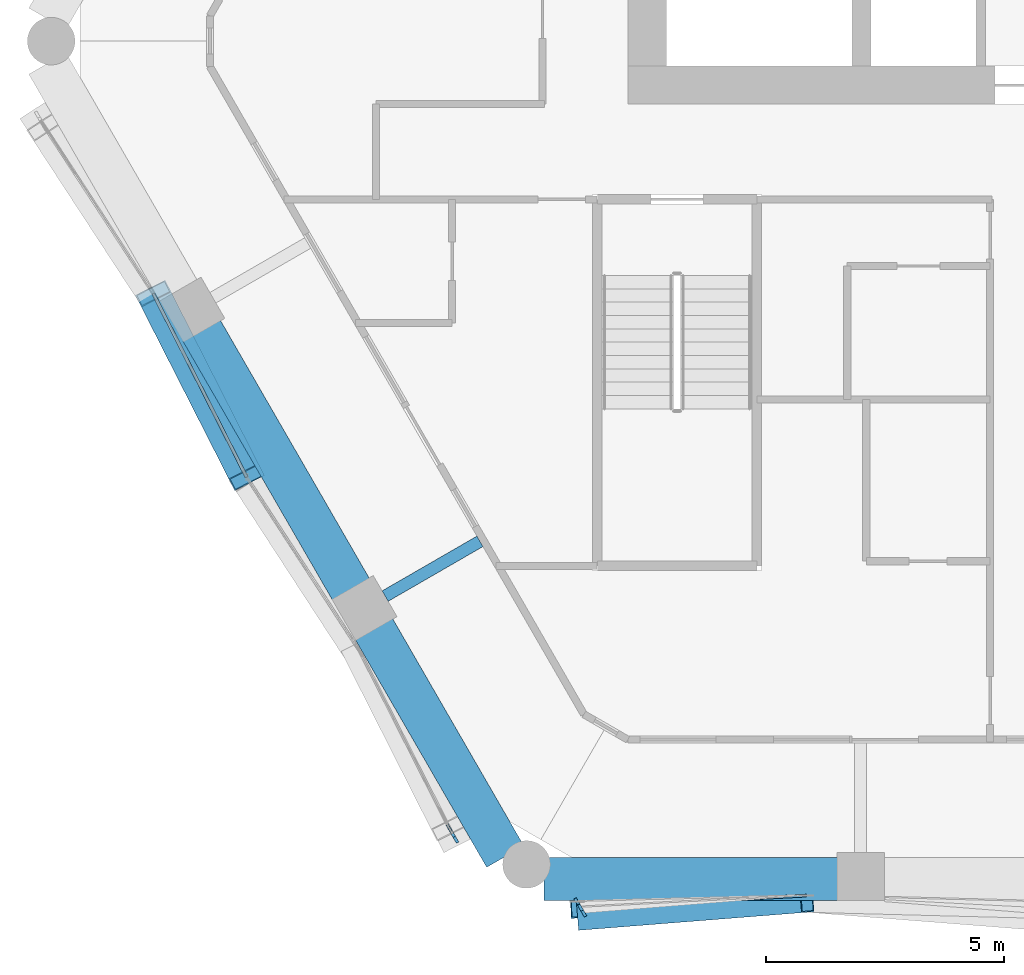
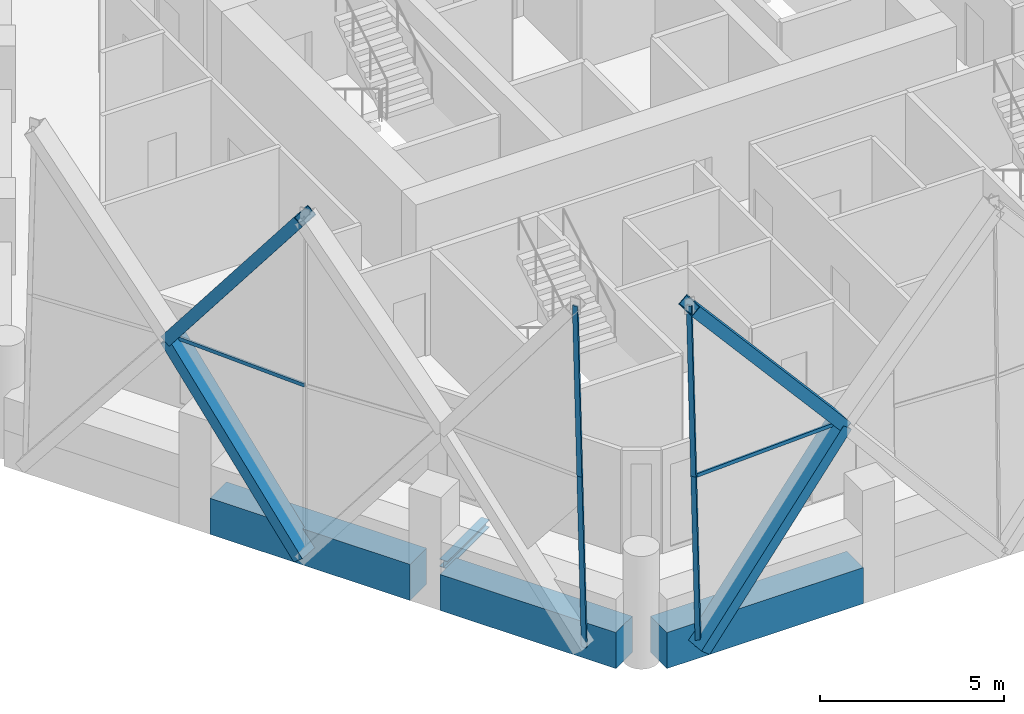
# One storey, part 2 of 18: 10 members, 4 beams, 4 elements without a shape of their own.
"""IFC4 building model written with IfcOpenShell, lengths in metres."""

from ifc_helpers import new_model, si_unit, direction, frame, origin, origin_2d, place, context, subcontext, project, spatial, rectangle, hollow_rectangle, i_section, extrude, material, material_profile, profile_set, type_object, element, aggregate, save


model = new_model("IFC4")

# Units and contexts
model_context = context("Model", 3, precision=1e-05, world=origin(), true_north=direction((0.0, 1.0)))
body_context = subcontext(model_context, "Body", "Model", "MODEL_VIEW")
ifc_project = project(units=[si_unit("LENGTHUNIT", "METRE"), si_unit("AREAUNIT", "SQUARE_METRE"), si_unit("VOLUMEUNIT", "CUBIC_METRE"), si_unit("PLANEANGLEUNIT", "RADIAN"), si_unit("MASSUNIT", "GRAM", prefix="KILO")], contexts=[model_context])

# Site, building, storey
site_placement = place(None, origin())
site = spatial("IfcSite", under=ifc_project, at=site_placement, CompositionType="ELEMENT")
building_placement = place(site_placement, origin())
building = spatial("IfcBuilding", under=site, at=building_placement, Name="Ostrander Bayou Hotel Tower", CompositionType="ELEMENT")
storey_placement = place(building_placement, frame((0.0, 0.0, 175.75)))
storey = spatial("IfcBuildingStorey", under=building, at=storey_placement, Name="L43", CompositionType="ELEMENT", Elevation=175.75)

# Curtain wall, members
ifc_material_1 = material(Name="Aluminium and clear glass", Category="aluminium")
curtain_wall_type = type_object("IfcCurtainWallType", Name="CW-LAT lattice glazing", PredefinedType="NOTDEFINED", material=ifc_material_1)
curtain_wall_1_placement = place(storey_placement, origin())
curtain_wall_1 = element("IfcCurtainWall", 1, at=curtain_wall_1_placement, inside=storey, type_object=curtain_wall_type, Name="CW-LAT L43 SW 1", PredefinedType="NOTDEFINED")
ifc_material_2 = material(Name="Aluminium", Category="aluminium")
ifc_material_profile_1 = material_profile(ifc_material_2, hollow_rectangle(XDim=0.06005859375, YDim=0.159912109375, WallThickness=0.00390625, at=origin_2d()))
ifc_profile_set_1 = profile_set([ifc_material_profile_1], Name="Aluminium")
member_type_1 = type_object("IfcMemberType", Name="CW-LA mullion 60 x 160 mm", PredefinedType="MULLION", material=ifc_profile_set_1)
member_1_placement = place(storey_placement, frame((-12.123046875, -17.14208984375, -0.60009765625), z_axis=(-0.012626192954, 0.021824656549, 0.999682081273), x_axis=(-0.865583332221, -0.500764909893, 0.0)))
member_1 = element("IfcMember", 2, at=member_1_placement, type_object=member_type_1, Name="CW-LAT mullion 8", PredefinedType="MULLION", context=body_context, shape_type="SweptSolid", body=[
    extrude(hollow_rectangle(XDim=0.06005859375, YDim=0.159912109375, WallThickness=0.00390625, at=origin_2d()), origin(), (0.0, 0.0, 1.0), 5.626708984375),
])
member_2_placement = place(storey_placement, frame((-12.194091796875, -17.019287109375, 5.02490234375), z_axis=(-0.012582810856, 0.021824668484, 0.999682627996), x_axis=(-0.866328918095, -0.499473928922, 0.0)))
member_2 = element("IfcMember", 3, at=member_2_placement, type_object=member_type_1, Name="CW-LAT mullion 9", PredefinedType="MULLION", context=body_context, shape_type="SweptSolid", body=[
    extrude(hollow_rectangle(XDim=0.06005859375, YDim=0.159912109375, WallThickness=0.00390625, at=origin_2d()), origin(), (0.0, 0.0, 1.0), 5.626708984375),
])
aggregate(curtain_wall_1, [member_1, member_2])

curtain_wall_2_placement = place(storey_placement, origin())
curtain_wall_2 = element("IfcCurtainWall", 4, at=curtain_wall_2_placement, inside=storey, type_object=curtain_wall_type, Name="CW-LAT L43 S 1", PredefinedType="NOTDEFINED")
member_3_placement = place(storey_placement, frame((-9.435791015625, -18.693603515625, -0.60009765625), z_axis=(-0.012582810856, 0.021824668484, 0.999682627996), x_axis=(-0.866328918095, -0.499473928922, 0.0)))
member_3 = element("IfcMember", 5, at=member_3_placement, type_object=member_type_1, Name="CW-LAT mullion 1", PredefinedType="MULLION", context=body_context, shape_type="SweptSolid", body=[
    extrude(hollow_rectangle(XDim=0.06005859375, YDim=0.159912109375, WallThickness=0.00390625, at=origin_2d()), origin(), (0.0, 0.0, 1.0), 5.626708984375),
])
member_4_placement = place(storey_placement, frame((-9.506591796875, -18.57080078125, 5.02490234375), z_axis=(-0.012626192954, 0.021824656549, 0.999682081273), x_axis=(-0.865583332221, -0.500764909893, 0.0)))
member_4 = element("IfcMember", 6, at=member_4_placement, type_object=member_type_1, Name="CW-LAT mullion 2", PredefinedType="MULLION", context=body_context, shape_type="SweptSolid", body=[
    extrude(hollow_rectangle(XDim=0.06005859375, YDim=0.159912109375, WallThickness=0.00390625, at=origin_2d()), origin(), (0.0, 0.0, 1.0), 5.626708984375),
])
aggregate(curtain_wall_2, [member_3, member_4])

# Curtain wall, member
curtain_wall_3_placement = place(storey_placement, origin())
curtain_wall_3 = element("IfcCurtainWall", 7, at=curtain_wall_3_placement, inside=storey, type_object=curtain_wall_type, Name="CW-LAT L43 SW 2", PredefinedType="NOTDEFINED")
ifc_material_3 = material(Name="Aluminium", Category="aluminium")
ifc_material_profile_2 = material_profile(ifc_material_3, hollow_rectangle(XDim=0.06005859375, YDim=0.1201171875, WallThickness=0.00390625, at=origin_2d()))
ifc_profile_set_2 = profile_set([ifc_material_profile_2], Name="Aluminium")
member_type_2 = type_object("IfcMemberType", Name="CW-LA transom 60 x 120 mm", PredefinedType="USERDEFINED", material=ifc_profile_set_2)
member_5_placement = place(storey_placement, frame((-16.51513671875, -9.534912109375, 5.02490234375), z_axis=(-0.453229200101, 0.891394016233, 0.0), x_axis=(-0.891394016233, -0.453229200101, 0.0)))
member_5 = element("IfcMember", 8, at=member_5_placement, type_object=member_type_2, Name="CW-LAT transom 6", ObjectType="TRANSOM", PredefinedType="USERDEFINED", context=body_context, shape_type="SweptSolid", body=[
    extrude(hollow_rectangle(XDim=0.06005859375, YDim=0.1201171875, WallThickness=0.00390625, at=origin_2d()), origin(), (0.0, 0.0, 1.0), 4.3271484375),
])
aggregate(curtain_wall_3, [member_5])

curtain_wall_4_placement = place(storey_placement, origin())
curtain_wall_4 = element("IfcCurtainWall", 9, at=curtain_wall_4_placement, inside=storey, type_object=curtain_wall_type, Name="CW-LAT L43 S 2", PredefinedType="NOTDEFINED")
member_6_placement = place(storey_placement, frame((-9.506591796875, -18.57080078125, 5.02490234375), z_axis=(0.998649107213, 0.051961145699, 0.0), x_axis=(-0.051961145699, 0.998649107213, 0.0)))
member_6 = element("IfcMember", 10, at=member_6_placement, type_object=member_type_2, Name="CW-LAT transom 3", ObjectType="TRANSOM", PredefinedType="USERDEFINED", context=body_context, shape_type="SweptSolid", body=[
    extrude(hollow_rectangle(XDim=0.06005859375, YDim=0.1201171875, WallThickness=0.00390625, at=origin_2d()), origin(), (0.0, 0.0, 1.0), 4.759521484375),
])
aggregate(curtain_wall_4, [member_6])

# Beam
ifc_material_4 = material(Name="Steel ASTM A992", Category="steel")
ifc_material_profile_3 = material_profile(ifc_material_4, i_section(OverallWidth=0.25390625, OverallDepth=0.25341796875, WebThickness=0.008544921875, FlangeThickness=0.01416015625, at=origin_2d()))
ifc_profile_set_3 = profile_set([ifc_material_profile_3], Name="Steel ASTM A992")
beam_type_1 = type_object("IfcBeamType", Name="LB2 loggia bracket W10x49", PredefinedType="BEAM", material=ifc_profile_set_3)
beam_1_placement = place(storey_placement, frame((-13.606201171875, -12.033203125, -0.4267578125), z_axis=(0.86602648383, 0.499998129301, 0.0), x_axis=(-0.499998129301, 0.86602648383, 0.0)))
element("IfcBeam", 11, at=beam_1_placement, inside=storey, type_object=beam_type_1, Name="LB2 L43 SW2", PredefinedType="BEAM", context=body_context, shape_type="SweptSolid", body=[
    extrude(i_section(OverallWidth=0.25390625, OverallDepth=0.25341796875, WebThickness=0.008544921875, FlangeThickness=0.01416015625, at=origin_2d()), origin(), (0.0, 0.0, 1.0), 2.2998046875),
])

# Members
ifc_material_5 = material(Name="Steel ASTM A572 Gr 50", Category="steel")
ifc_material_profile_4 = material_profile(ifc_material_5, hollow_rectangle(XDim=0.699951171875, YDim=0.35009765625, WallThickness=0.02490234375, at=origin_2d()))
ifc_profile_set_4 = profile_set([ifc_material_profile_4], Name="Steel ASTM A572 Gr 50")
member_type_3 = type_object("IfcMemberType", Name="LT1 lattice member box 700 x 350 x 25 mm", PredefinedType="BRACE", material=ifc_profile_set_4)
for number, where, z_axis, x_axis, name in (
    (12, (-18.476318359375, -5.677734375, 5.02490234375), (0.276347020175, -0.543508847473, -0.792609902259), (0.891394016233, 0.453229200101, 0.0), "LT1 L43 SW 3"),
    (13, (-18.476318359375, -5.677734375, 5.02490234375), (0.276347020175, -0.543508847473, 0.792609902259), (0.891394016233, 0.453229200101, 0.0), "LT1 L43 SW 4"),
):
    element("IfcMember", number, at=place(storey_placement, frame(where, z_axis=z_axis, x_axis=x_axis)), inside=storey, type_object=member_type_3, Name=name, PredefinedType="BRACE", context=body_context, shape_type="SweptSolid", body=[
        extrude(hollow_rectangle(XDim=0.699951171875, YDim=0.35009765625, WallThickness=0.02490234375, at=origin_2d()), origin(), (0.0, 0.0, 1.0), 7.096923828125),
    ])
member_7_placement = place(storey_placement, frame((-4.75341796875, -18.323486328125, 5.02490234375), z_axis=(-0.638954384718, -0.050506014246, -0.767584807545), x_axis=(0.078799000723, -0.996890524323, 0.0)))
element("IfcMember", 14, at=member_7_placement, inside=storey, type_object=member_type_3, Name="LT1 L43 S 1", PredefinedType="BRACE", context=body_context, shape_type="SweptSolid", body=[
    extrude(hollow_rectangle(XDim=0.699951171875, YDim=0.35009765625, WallThickness=0.02490234375, at=origin_2d()), origin(), (0.0, 0.0, 1.0), 7.328125),
])
member_8_placement = place(storey_placement, frame((-4.75341796875, -18.323486328125, 5.02490234375), z_axis=(-0.650916524871, -0.016799971037, 0.75896339742), x_axis=(0.02580112443, -0.999667095576, 0.0)))
element("IfcMember", 15, at=member_8_placement, inside=storey, type_object=member_type_3, Name="LT1 L43 S 2", PredefinedType="BRACE", context=body_context, shape_type="SweptSolid", body=[
    extrude(hollow_rectangle(XDim=0.699951171875, YDim=0.35009765625, WallThickness=0.02490234375, at=origin_2d()), origin(), (0.0, 0.0, 1.0), 7.411376953125),
])

# Beams
ifc_material_6 = material(Name="Concrete f'c 60 MPa", Category="concrete")
ifc_material_profile_5 = material_profile(ifc_material_6, rectangle(XDim=0.89990234375, YDim=1.199951171875, at=origin_2d()))
ifc_profile_set_5 = profile_set([ifc_material_profile_5], Name="Concrete f'c 60 MPa")
beam_type_2 = type_object("IfcBeamType", Name="SP3 spandrel beam 900 x 1200 mm f'c 60 MPa", PredefinedType="SPANDREL", material=ifc_profile_set_5)
beam_2_placement = place(storey_placement, frame((-17.465576171875, -6.44873046875, -0.60009765625), z_axis=(0.500013351051, -0.866017695414, 0.0), x_axis=(0.866017695414, 0.500013351051, 0.0)))
element("IfcBeam", 16, at=beam_2_placement, inside=storey, type_object=beam_type_2, Name="SP3 L43 SW-2", PredefinedType="SPANDREL", context=body_context, shape_type="SweptSolid", body=[
    extrude(rectangle(XDim=0.89990234375, YDim=1.199951171875, at=origin_2d()), origin(), (0.0, 0.0, 1.0), 6.296142578125),
])
beam_3_placement = place(storey_placement, frame((-13.847412109375, -12.71533203125, -0.60009765625), z_axis=(0.499961976493, -0.866047355554, 0.0), x_axis=(0.866047355554, 0.499961976493, 0.0)))
element("IfcBeam", 17, at=beam_3_placement, inside=storey, type_object=beam_type_2, Name="SP3 L43 SW-3", PredefinedType="SPANDREL", context=body_context, shape_type="SweptSolid", body=[
    extrude(rectangle(XDim=0.89990234375, YDim=1.199951171875, at=origin_2d()), origin(), (0.0, 0.0, 1.0), 5.529296875),
])
beam_4_placement = place(storey_placement, frame((-10.269287109375, -17.9736328125, -0.60009765625), z_axis=(1.0, 0.0, 0.0), x_axis=(0.0, 1.0, 0.0)))
element("IfcBeam", 18, at=beam_4_placement, inside=storey, type_object=beam_type_2, Name="SP3 L43 S-1", PredefinedType="SPANDREL", context=body_context, shape_type="SweptSolid", body=[
    extrude(rectangle(XDim=0.89990234375, YDim=1.199951171875, at=origin_2d()), origin(), (0.0, 0.0, 1.0), 6.18115234375),
])

save(model, "model.ifc")
